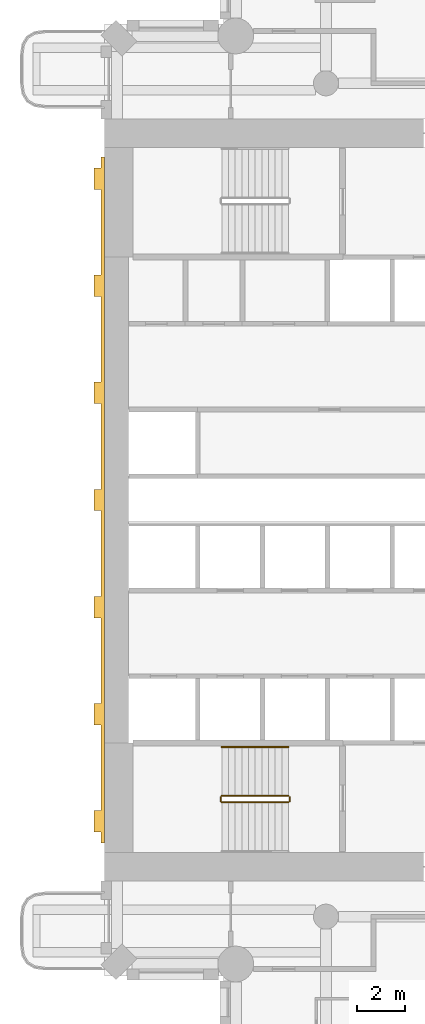
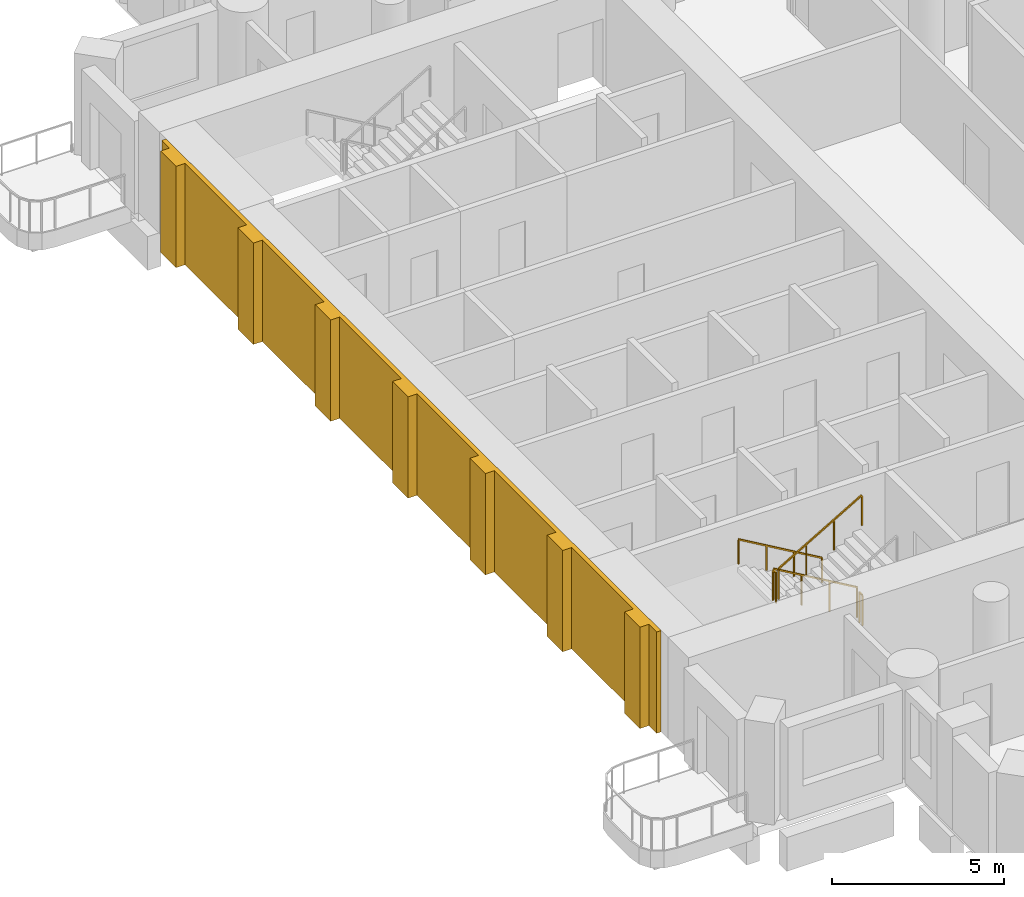
# One storey, part 14 of 20: 5 railings, 1 covering.
"""IFC4 building model written with IfcOpenShell, lengths in metres."""

import ifcopenshell
import ifcopenshell.guid

model = None  # the IFC model being written
_history = None  # IfcOwnerHistory: only IFC2X3 demands one
_inside = {}  # id of a spatial element -> (the spatial element, [elements in it])
_under = {}  # id of a project, library or spatial element -> (it, [spatial elements below it])
_declared = {}  # id of a project -> (the project, [libraries it declares])
_typed = {}  # id of a type object -> (the type object, [elements of that type])
_made_of = {}  # id of a material, layer set ... -> (it, [elements and type objects made of it])


def new_model(schema):
    """Start an empty IFC model of exactly this schema.

    Asked for "IFC4X3", IfcOpenShell would pick the latest addendum, in which some entities
    have other attributes; the version numbers below select the first issue.
    IFC2X3 requires an IfcOwnerHistory on every rooted entity: one is made here for all.
    """
    global model, _history
    if schema == "IFC4X3":
        model = ifcopenshell.file(schema_version=(4, 3, 0, 0))
    else:
        model = ifcopenshell.file(schema=schema)
    _inside.clear()
    _under.clear()
    _declared.clear()
    _typed.clear()
    _made_of.clear()
    _history = None
    if model.schema == "IFC2X3":
        org = make("IfcOrganization", Name="unknown")
        user = make(
            "IfcPersonAndOrganization",
            ThePerson=make("IfcPerson", FamilyName="unknown"),
            TheOrganization=org,
        )
        app = make(
            "IfcApplication",
            ApplicationDeveloper=org,
            Version="unknown",
            ApplicationFullName="unknown",
            ApplicationIdentifier="unknown",
        )
        _history = make(
            "IfcOwnerHistory",
            OwningUser=user,
            OwningApplication=app,
            ChangeAction="ADDED",
            CreationDate=0,
        )
    return model


def make(cls, **values):
    """One entity of the class cls with the attributes given. An attribute that is None is left unset."""
    return model.create_entity(
        cls, **{name: value for name, value in values.items() if value is not None}
    )


def rooted(cls, **values):
    """An entity with a GlobalId (a new one), such as an element, a storey or a relation."""
    return make(cls, GlobalId=ifcopenshell.guid.new(), OwnerHistory=_history, **values)


def si_unit(unit_type, name, prefix=None):
    """IfcSIUnit, for example si_unit("LENGTHUNIT", "METRE", prefix="MILLI")."""
    return make("IfcSIUnit", UnitType=unit_type, Prefix=prefix, Name=name)


def assignment(units):
    """IfcUnitAssignment: the units of a project."""
    return None if units is None else make("IfcUnitAssignment", Units=units)


def point(xyz):
    """IfcCartesianPoint."""
    return None if xyz is None else make("IfcCartesianPoint", Coordinates=xyz)


def direction(xyz):
    """IfcDirection."""
    return None if xyz is None else make("IfcDirection", DirectionRatios=xyz)


def frame(location, z_axis=None, x_axis=None):
    """IfcAxis2Placement3D, a coordinate frame: its origin and axes. An axis left out is left unset."""
    return make(
        "IfcAxis2Placement3D",
        Location=point(location),
        Axis=direction(z_axis),
        RefDirection=direction(x_axis),
    )


def frame_2d(location, x_axis=None):
    """IfcAxis2Placement2D, a coordinate frame in the plane: its origin and x axis."""
    return make(
        "IfcAxis2Placement2D", Location=point(location), RefDirection=direction(x_axis)
    )


def origin():
    """The frame at (0, 0, 0) with its axes left unset."""
    return frame((0.0, 0.0, 0.0))


def origin_2d():
    """The frame at (0, 0) in the plane with its x axis left unset."""
    return frame_2d((0.0, 0.0))


def place(relative_to, where):
    """IfcLocalPlacement: puts the frame where relative to a parent placement (None: the world)."""
    return make(
        "IfcLocalPlacement", PlacementRelTo=relative_to, RelativePlacement=where
    )


def context(
    kind, dimensions, precision=None, world=None, true_north=None, identifier=None
):
    """IfcGeometricRepresentationContext, for example the 3D "Model" context."""
    return make(
        "IfcGeometricRepresentationContext",
        ContextIdentifier=identifier,
        ContextType=kind,
        CoordinateSpaceDimension=dimensions,
        Precision=precision,
        WorldCoordinateSystem=world,
        TrueNorth=true_north,
    )


def subcontext(parent, identifier, kind, view, scale=None):
    """IfcGeometricRepresentationSubContext, for example "Body" below "Model"."""
    return make(
        "IfcGeometricRepresentationSubContext",
        ContextIdentifier=identifier,
        ContextType=kind,
        ParentContext=parent,
        TargetScale=scale,
        TargetView=view,
    )


def project(units=None, contexts=None):
    """IfcProject with its units and contexts."""
    return rooted(
        "IfcProject",
        Name="project",
        RepresentationContexts=contexts,
        UnitsInContext=assignment(units),
    )


def spatial(cls, under=None, at=None, **own):
    """A site, building, storey or space (cls), placed at a placement, below another one or the project."""
    s = rooted(cls, ObjectPlacement=at, **own)
    if under is not None:
        _under.setdefault(under.id(), (under, []))[1].append(s)
    return s


def polyline(points):
    """IfcPolyline through the points."""
    return make("IfcPolyline", Points=[point(p) for p in points])


def profile(cls, at=None, kind="AREA", **sizes):
    """A parametric profile (cls). Its sizes go by their IFC names, for example OverallWidth=200.0."""
    return make(cls, ProfileType=kind, Position=at, **sizes)


def rectangle(**sizes):
    """IfcRectangleProfileDef."""
    return profile("IfcRectangleProfileDef", **sizes)


def outline(outer, holes=None, kind="AREA"):
    """IfcArbitraryClosedProfileDef: a profile drawn as a closed curve; with holes, ...WithVoids."""
    if holes is None:
        return make("IfcArbitraryClosedProfileDef", ProfileType=kind, OuterCurve=outer)
    return make(
        "IfcArbitraryProfileDefWithVoids",
        ProfileType=kind,
        OuterCurve=outer,
        InnerCurves=holes,
    )


def extrude(swept, where, along, depth):
    """IfcExtrudedAreaSolid: the profile swept, set in the frame where, extruded along a direction by depth."""
    return make(
        "IfcExtrudedAreaSolid",
        SweptArea=swept,
        Position=where,
        ExtrudedDirection=direction(along),
        Depth=depth,
    )


def shape(context_of_items, identifier, shape_type, items):
    """IfcShapeRepresentation: the items that make up one representation, for example the "Body"."""
    return make(
        "IfcShapeRepresentation",
        ContextOfItems=context_of_items,
        RepresentationIdentifier=identifier,
        RepresentationType=shape_type,
        Items=items,
    )


def material(Name=None, Category=None):
    """IfcMaterial."""
    return make("IfcMaterial", Name=Name, Category=Category)


def layer(
    of_material, thickness, ventilated=None, Name=None, Category=None, Priority=None
):
    """IfcMaterialLayer: one layer of a wall or slab, of a material (None: an air gap)."""
    return make(
        "IfcMaterialLayer",
        Material=of_material,
        LayerThickness=thickness,
        IsVentilated=ventilated,
        Name=Name,
        Category=Category,
        Priority=Priority,
    )


def layer_set(layers, Name=None):
    """IfcMaterialLayerSet."""
    return make("IfcMaterialLayerSet", MaterialLayers=layers, LayerSetName=Name)


def made_of(thing, what):
    """Note that an element or type object is made of a material, layer set ...; save() writes the relation."""
    if what is not None:
        _made_of.setdefault(what.id(), (what, []))[1].append(thing)
    return thing


def type_object(cls, material=None, **own):
    """A type object (cls), such as IfcWallType, which elements share."""
    return made_of(rooted(cls, **own), material)


def element(
    cls,
    number,
    at=None,
    inside=None,
    cuts=None,
    type_object=None,
    material=None,
    context=None,
    identifier="Body",
    shape_type=None,
    held_by="IfcProductDefinitionShape",
    body=None,
    shapes=None,
    **own,
):
    """One element of the class cls, such as IfcWall. Its Tag is "e" and its number.

    at: its placement. inside: the storey or other place that contains it. cuts: it is an
    opening in that element (IfcRelVoidsElement). A single representation is given by context,
    identifier, shape_type and body (its items); several are given by shapes. held_by: the class
    of the entity that holds the representations. save() writes the other relations.
    """
    e = rooted(cls, Tag="e%d" % number, ObjectPlacement=at, **own)
    if body is not None:
        shapes = [shape(context, identifier, shape_type, body)]
    if shapes is not None:
        e.Representation = make(held_by, Representations=shapes)
    if inside is not None:
        _inside.setdefault(inside.id(), (inside, []))[1].append(e)
    if cuts is not None:
        rooted(
            "IfcRelVoidsElement", RelatingBuildingElement=cuts, RelatedOpeningElement=e
        )
    if type_object is not None:
        _typed.setdefault(type_object.id(), (type_object, []))[1].append(e)
    return made_of(e, material)


def aggregate(whole, parts):
    """IfcRelAggregates: a whole, such as a stair, and the parts it consists of."""
    return rooted("IfcRelAggregates", RelatingObject=whole, RelatedObjects=parts)


def save(model, path):
    """Write the relations noted so far, then the file.

    IfcRelAggregates (storeys below a building ...), IfcRelContainedInSpatialStructure (elements
    in a storey), IfcRelDefinesByType, IfcRelAssociatesMaterial and IfcRelDeclares: one each for
    every whole, place, type object, material and project.
    """
    for whole, parts in _under.values():
        aggregate(whole, parts)
    for where, things in _inside.values():
        rooted(
            "IfcRelContainedInSpatialStructure",
            RelatedElements=things,
            RelatingStructure=where,
        )
    for kind, things in _typed.values():
        rooted("IfcRelDefinesByType", RelatedObjects=things, RelatingType=kind)
    for what, things in _made_of.values():
        rooted("IfcRelAssociatesMaterial", RelatedObjects=things, RelatingMaterial=what)
    for by, libraries in _declared.values():
        rooted("IfcRelDeclares", RelatingContext=by, RelatedDefinitions=libraries)
    model.write(path)


model = new_model("IFC4")

# Units and contexts
model_context = context("Model", 3, precision=1e-05, world=origin(), true_north=direction((0.0, 1.0)))
body_context = subcontext(model_context, "Body", "Model", "MODEL_VIEW")
ifc_project = project(units=[si_unit("LENGTHUNIT", "METRE"), si_unit("AREAUNIT", "SQUARE_METRE"), si_unit("VOLUMEUNIT", "CUBIC_METRE"), si_unit("PLANEANGLEUNIT", "RADIAN"), si_unit("MASSUNIT", "GRAM", prefix="KILO")], contexts=[model_context])

# Site, building, storey
site_placement = place(None, origin())
site = spatial("IfcSite", under=ifc_project, at=site_placement, CompositionType="ELEMENT")
building_placement = place(site_placement, origin())
building = spatial("IfcBuilding", under=site, at=building_placement, Name="Cypress Arch Tower", CompositionType="ELEMENT")
storey_placement = place(building_placement, frame((0.0, 0.0, 113.10009765625)))
storey = spatial("IfcBuildingStorey", under=building, at=storey_placement, Name="L23", CompositionType="ELEMENT", Elevation=113.10009765625)

# Railings
ifc_material_1 = material(Name="Black powder-coated steel square bar 48 mm", Category="steel")
railing_type_1 = type_object("IfcRailingType", Name="Stair handrail HR1", PredefinedType="HANDRAIL", material=ifc_material_1)
railing_1_placement = place(storey_placement, frame((-22.27490234375, -10.375, 0.16357421875)))
element("IfcRailing", 1, at=railing_1_placement, inside=storey, type_object=railing_type_1, Name="L23 A stair handrail 1", PredefinedType="HANDRAIL", context=body_context, shape_type="SweptSolid", body=[
    extrude(rectangle(XDim=0.048095703125, YDim=0.048095703125, at=origin_2d()), frame((0.0, 0.0, 0.8759765625), z_axis=(-0.863393664356, 0.0, 0.504530851732), x_axis=(0.0, -1.0, 0.0)), (0.0, 0.0, 1.0), 3.2431640625),
    extrude(rectangle(XDim=0.0419921875, YDim=0.0419921875, at=origin_2d()), origin(), (0.0, 0.0, 1.0), 0.851806640625),
    extrude(rectangle(XDim=0.0419921875, YDim=0.0419921875, at=origin_2d()), frame((-0.933349609375, 0.0, 0.54541015625)), (0.0, 0.0, 1.0), 0.851806640625),
    extrude(rectangle(XDim=0.0419921875, YDim=0.0419921875, at=origin_2d()), frame((-1.86669921875, 0.0, 1.0908203125)), (0.0, 0.0, 1.0), 0.851806640625),
    extrude(rectangle(XDim=0.0419921875, YDim=0.0419921875, at=origin_2d()), frame((-2.800048828125, 0.0, 1.63623046875)), (0.0, 0.0, 1.0), 0.851806640625),
])
ifc_material_2 = material(Name="Black powder-coated steel balusters", Category="steel")
railing_type_2 = type_object("IfcRailingType", Name="Stair well guard G1", PredefinedType="GUARDRAIL", material=ifc_material_2)
railing_2_placement = place(storey_placement, frame((-22.27490234375, -12.425048828125, 0.16357421875)))
element("IfcRailing", 2, at=railing_2_placement, inside=storey, type_object=railing_type_2, Name="L23 A stair guard 1", PredefinedType="GUARDRAIL", context=body_context, shape_type="SweptSolid", body=[
    extrude(rectangle(XDim=0.048095703125, YDim=0.048095703125, at=origin_2d()), frame((0.0, 0.0, 1.076171875), z_axis=(-0.863393664356, 0.0, 0.504530851732), x_axis=(0.0, -1.0, 0.0)), (0.0, 0.0, 1.0), 3.2431640625),
    extrude(rectangle(XDim=0.0419921875, YDim=0.0419921875, at=origin_2d()), origin(), (0.0, 0.0, 1.0), 1.052001953125),
    extrude(rectangle(XDim=0.0419921875, YDim=0.0419921875, at=origin_2d()), frame((-0.933349609375, 0.0, 0.54541015625)), (0.0, 0.0, 1.0), 1.052001953125),
    extrude(rectangle(XDim=0.0419921875, YDim=0.0419921875, at=origin_2d()), frame((-1.86669921875, 0.0, 1.0908203125)), (0.0, 0.0, 1.0), 1.052001953125),
    extrude(rectangle(XDim=0.0419921875, YDim=0.0419921875, at=origin_2d()), frame((-2.800048828125, 0.0, 1.63623046875)), (0.0, 0.0, 1.0), 1.052001953125),
])
railing_3_placement = place(storey_placement, frame((-25.125, -12.47509765625, 1.7998046875)))
element("IfcRailing", 3, at=railing_3_placement, inside=storey, type_object=railing_type_2, Name="L23 A stair guard 2", PredefinedType="GUARDRAIL", context=body_context, shape_type="SweptSolid", body=[
    extrude(rectangle(XDim=0.048095703125, YDim=0.048095703125, at=origin_2d()), frame((0.0, 0.0, 1.076171875), z_axis=(0.0, -1.0, 0.0), x_axis=(1.0, 0.0, 0.0)), (0.0, 0.0, 1.0), 0.1748046875),
    extrude(rectangle(XDim=0.0419921875, YDim=0.0419921875, at=origin_2d()), origin(), (0.0, 0.0, 1.0), 1.052001953125),
    extrude(rectangle(XDim=0.0419921875, YDim=0.0419921875, at=origin_2d()), frame((0.0, -0.1748046875, 0.0)), (0.0, 0.0, 1.0), 1.052001953125),
])
railing_4_placement = place(storey_placement, frame((-25.074951171875, -12.699951171875, 1.963623046875)))
element("IfcRailing", 4, at=railing_4_placement, inside=storey, type_object=railing_type_2, Name="L23 A stair guard 3", PredefinedType="GUARDRAIL", context=body_context, shape_type="SweptSolid", body=[
    extrude(rectangle(XDim=0.048095703125, YDim=0.048095703125, at=origin_2d()), frame((0.0, 0.0, 1.076171875), z_axis=(0.863393664356, 0.0, 0.504530851732), x_axis=(0.0, 1.0, 0.0)), (0.0, 0.0, 1.0), 3.2431640625),
    extrude(rectangle(XDim=0.0419921875, YDim=0.0419921875, at=origin_2d()), origin(), (0.0, 0.0, 1.0), 1.052001953125),
    extrude(rectangle(XDim=0.0419921875, YDim=0.0419921875, at=origin_2d()), frame((0.933349609375, 0.0, 0.54541015625)), (0.0, 0.0, 1.0), 1.052001953125),
    extrude(rectangle(XDim=0.0419921875, YDim=0.0419921875, at=origin_2d()), frame((1.86669921875, 0.0, 1.0908203125)), (0.0, 0.0, 1.0), 1.052001953125),
    extrude(rectangle(XDim=0.0419921875, YDim=0.0419921875, at=origin_2d()), frame((2.800048828125, 0.0, 1.63623046875)), (0.0, 0.0, 1.0), 1.052001953125),
])
railing_5_placement = place(storey_placement, frame((-22.22509765625, -12.47509765625, 0.0)))
element("IfcRailing", 5, at=railing_5_placement, inside=storey, type_object=railing_type_2, Name="L23 A stair guard 4", PredefinedType="GUARDRAIL", context=body_context, shape_type="SweptSolid", body=[
    extrude(rectangle(XDim=0.048095703125, YDim=0.048095703125, at=origin_2d()), frame((0.0, 0.0, 1.076171875), z_axis=(0.0, -1.0, 0.0), x_axis=(1.0, 0.0, 0.0)), (0.0, 0.0, 1.0), 0.1748046875),
    extrude(rectangle(XDim=0.0419921875, YDim=0.0419921875, at=origin_2d()), origin(), (0.0, 0.0, 1.0), 1.052001953125),
    extrude(rectangle(XDim=0.0419921875, YDim=0.0419921875, at=origin_2d()), frame((0.0, -0.1748046875, 0.0)), (0.0, 0.0, 1.0), 1.052001953125),
])

# Covering
ifc_material_3 = material(Name="Brick (red buff blend)", Category="masonry")
ifc_layer = layer(ifc_material_3, 0.449951171875)
ifc_layer_set = layer_set([ifc_layer], Name="West face brick piers WP450")
covering_type = type_object("IfcCoveringType", Name="West face brick piers WP450", PredefinedType="CLADDING", material=ifc_layer_set)
covering_placement = place(storey_placement, origin())
element("IfcCovering", 6, at=covering_placement, inside=storey, type_object=covering_type, Name="West face brick piers L23", PredefinedType="CLADDING", context=body_context, shape_type="SweptSolid", body=[
    extrude(outline(polyline([(-30.14990234375, -13.050048828125), (-30.14990234375, -9.449951171875), (-30.449951171875, -9.449951171875), (-30.449951171875, -8.550048828125), (-30.14990234375, -8.550048828125), (-30.14990234375, -4.949951171875), (-30.449951171875, -4.949951171875), (-30.449951171875, -4.050048828125), (-30.14990234375, -4.050048828125), (-30.14990234375, -0.449951171875), (-30.449951171875, -0.449951171875), (-30.449951171875, 0.449951171875), (-30.14990234375, 0.449951171875), (-30.14990234375, 4.050048828125), (-30.449951171875, 4.050048828125), (-30.449951171875, 4.949951171875), (-30.14990234375, 4.949951171875), (-30.14990234375, 8.550048828125), (-30.449951171875, 8.550048828125), (-30.449951171875, 9.449951171875), (-30.14990234375, 9.449951171875), (-30.14990234375, 13.050048828125), (-30.449951171875, 13.050048828125), (-30.449951171875, 13.949951171875), (-30.14990234375, 13.949951171875), (-30.14990234375, 14.39990234375), (-30.0, 14.39990234375), (-30.0, -14.39990234375), (-30.14990234375, -14.39990234375), (-30.14990234375, -13.949951171875), (-30.449951171875, -13.949951171875), (-30.449951171875, -13.050048828125), (-30.14990234375, -13.050048828125)])), origin(), (0.0, 0.0, 1.0), 3.599853515625),
])

save(model, "model.ifc")
